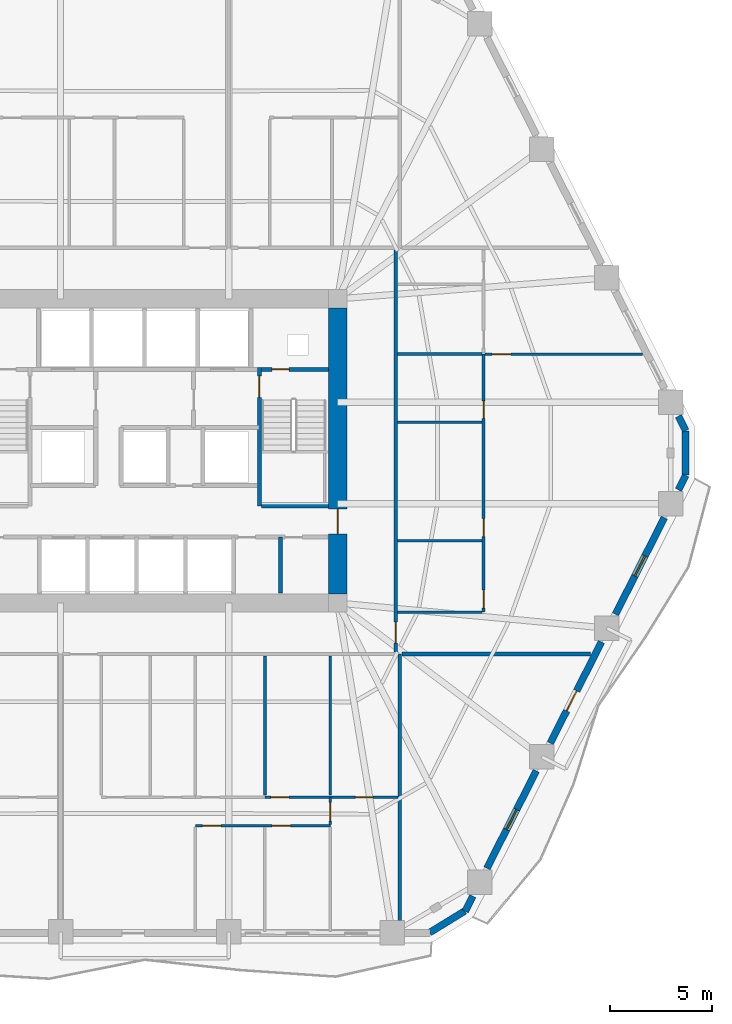
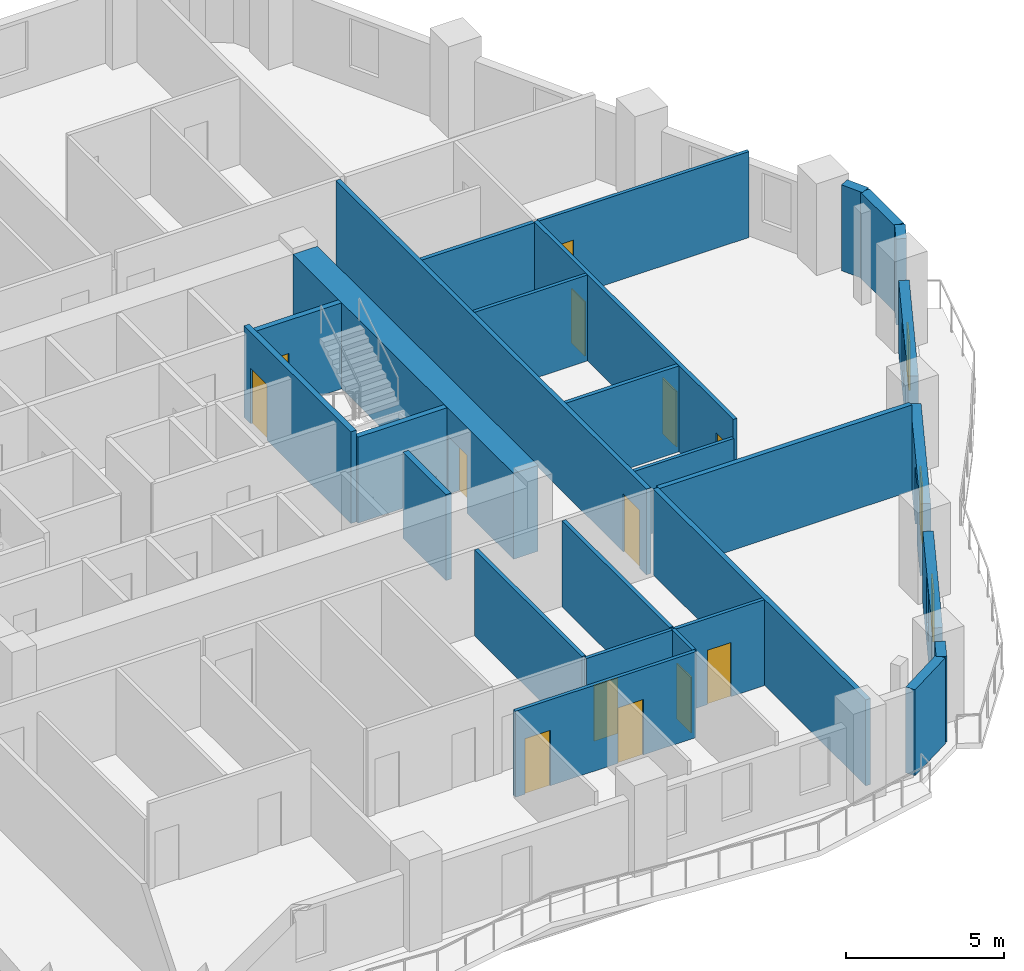
# One storey, part 6 of 12: 27 walls, 14 doors, 2 windows, 16 openings.
"""IFC4 building model written with IfcOpenShell, lengths in metres."""

from ifc_helpers import new_model, si_unit, direction, frame, frame_2d, origin, place, context, subcontext, project, spatial, rectangle, extrude, material, layer, layer_set, type_object, element, fill, save


model = new_model("IFC4")

# Units and contexts
model_context = context("Model", 3, precision=1e-05, world=origin(), true_north=direction((0.0, 1.0)))
body_context = subcontext(model_context, "Body", "Model", "MODEL_VIEW")
ifc_project = project(units=[si_unit("LENGTHUNIT", "METRE"), si_unit("AREAUNIT", "SQUARE_METRE"), si_unit("VOLUMEUNIT", "CUBIC_METRE"), si_unit("PLANEANGLEUNIT", "RADIAN"), si_unit("MASSUNIT", "GRAM", prefix="KILO")], contexts=[model_context])

# Site, building, storey
site_placement = place(None, origin())
site = spatial("IfcSite", under=ifc_project, at=site_placement, CompositionType="ELEMENT")
building_placement = place(site_placement, origin())
building = spatial("IfcBuilding", under=site, at=building_placement, Name="Cinnabar Lancet Tower", CompositionType="ELEMENT")
storey_placement = place(building_placement, frame((0.0, 0.0, 32.0)))
storey = spatial("IfcBuildingStorey", under=building, at=storey_placement, Name="L07", CompositionType="ELEMENT", Elevation=32.0)

# Wall, opening, door
ifc_material_1 = material(Name="Acoustic twin-stud gypsum partition", Category="gypsum")
ifc_layer_1 = layer(ifc_material_1, 0.159912109375)
ifc_layer_set_1 = layer_set([ifc_layer_1], Name="Acoustic twin-stud gypsum partition")
wall_type_1 = type_object("IfcWallType", Name="ARC-WL-CORR-160", PredefinedType="PARTITIONING", material=ifc_layer_set_1)
wall_1_placement = place(storey_placement, frame((44.699951171875, 16.044921875, 0.0), z_axis=(0.0, 0.0, 1.0), x_axis=(0.0, 1.0, 0.0)))
wall_1 = element("IfcWall", 1, at=wall_1_placement, inside=storey, type_object=wall_type_1, Name="UW-L07-E01-COR", PredefinedType="PARTITIONING", context=body_context, shape_type="SweptSolid", body=[
    extrude(rectangle(XDim=19.7099609375, YDim=0.159912109375, at=frame_2d((9.85498046875, 0.0))), origin(), (0.0, 0.0, 1.0), 3.330078125),
])
opening_1_placement = place(wall_1_placement, frame((0.449951171875, 0.0, 0.0)))
opening_1 = element("IfcOpeningElement", 2, at=opening_1_placement, cuts=wall_1, Name="Opening UD-01", PredefinedType="OPENING", context=body_context, shape_type="SweptSolid", body=[
    extrude(rectangle(XDim=1.02001953125, YDim=2.25, at=frame_2d((0.510009765625, 1.125))), frame((0.0, 0.08984375, 0.0), z_axis=(0.0, -1.0, 0.0), x_axis=(1.0, 0.0, 0.0)), (0.0, 0.0, 1.0), 0.179931640625),
])
ifc_material_2 = material(Name="Solid timber fire-rated apartment entrance door", Category="wood")
door_type_1 = type_object("IfcDoorType", Name="ARC-DR-UNIT", OperationType="NOTDEFINED", PredefinedType="DOOR", material=ifc_material_2)
door_1_placement = place(opening_1_placement, origin())
door_1 = element("IfcDoor", 3, at=door_1_placement, inside=storey, type_object=door_type_1, Name="DR-L07-E01-ENT", OperationType="SINGLE_SWING_LEFT", OverallHeight=2.25, OverallWidth=1.02001953125, PredefinedType="DOOR", context=body_context, shape_type="SweptSolid", body=[
    extrude(rectangle(XDim=1.02001953125, YDim=2.25, at=frame_2d((0.510009765625, 1.125))), frame((0.0, 0.02490234375, 0.0), z_axis=(0.0, -1.0, 0.0), x_axis=(1.0, 0.0, 0.0)), (0.0, 0.0, 1.0), 0.050048828125),
])
fill(opening_1, door_1)

# Walls
ifc_material_3 = material(Name="Fire-rated twin-frame acoustic drywall", Category="gypsum")
ifc_layer_2 = layer(ifc_material_3, 0.179931640625)
ifc_layer_set_2 = layer_set([ifc_layer_2], Name="Fire-rated twin-frame acoustic drywall")
wall_type_2 = type_object("IfcWallType", Name="ARC-WL-PARTY-180", PredefinedType="PARTITIONING", material=ifc_layer_set_2)
wall_2_placement = place(storey_placement, frame((44.89990234375, 2.455078125, 0.0), z_axis=(0.0, 0.0, 1.0), x_axis=(0.0, 1.0, 0.0)))
element("IfcWall", 4, at=wall_2_placement, inside=storey, type_object=wall_type_2, Name="PW-L07-SPTY-449", PredefinedType="PARTITIONING", context=body_context, shape_type="SweptSolid", body=[
    extrude(rectangle(XDim=13.494873046875, YDim=0.179931640625, at=frame_2d((6.74755859375, 0.0))), origin(), (0.0, 0.0, 1.0), 3.330078125),
])
wall_3_placement = place(storey_placement, frame((44.9951171875, 15.949951171875, 0.0), z_axis=(0.0, 0.0, 1.0), x_axis=(1.0, 0.0, 0.0)))
element("IfcWall", 5, at=wall_3_placement, inside=storey, type_object=wall_type_2, Name="PW-L07-ESB", PredefinedType="PARTITIONING", context=body_context, shape_type="SweptSolid", body=[
    extrude(rectangle(XDim=9.240966796875, YDim=0.179931640625, at=frame_2d((4.62060546875, 0.0))), origin(), (0.0, 0.0, 1.0), 3.330078125),
])
ifc_material_4 = material(Name="Autoclaved aerated concrete blockwork", Category="masonry")
ifc_layer_3 = layer(ifc_material_4, 0.199951171875)
ifc_layer_set_3 = layer_set([ifc_layer_3], Name="Autoclaved aerated concrete blockwork")
wall_type_3 = type_object("IfcWallType", Name="ARC-WL-SHAFT-200", PredefinedType="PLUMBINGWALL", material=ifc_layer_set_3)
wall_4_placement = place(storey_placement, frame((38.125, 23.199951171875, 0.0), z_axis=(0.0, 0.0, 1.0), x_axis=(1.0, 0.0, 0.0)))
element("IfcWall", 6, at=wall_4_placement, inside=storey, type_object=wall_type_3, Name="CW-ST2S-L07", PredefinedType="PLUMBINGWALL", context=body_context, shape_type="SweptSolid", body=[
    extrude(rectangle(XDim=3.27001953125, YDim=0.199951171875, at=frame_2d((1.635009765625, 0.0))), origin(), (0.0, 0.0, 1.0), 3.330078125),
])

# Wall, opening, door
wall_5_placement = place(storey_placement, frame((38.125, 29.89990234375, 0.0), z_axis=(0.0, 0.0, 1.0), x_axis=(1.0, 0.0, 0.0)))
wall_5 = element("IfcWall", 7, at=wall_5_placement, inside=storey, type_object=wall_type_3, Name="CW-NSH-E-L07", PredefinedType="PLUMBINGWALL", context=body_context, shape_type="SweptSolid", body=[
    extrude(rectangle(XDim=3.27001953125, YDim=0.199951171875, at=frame_2d((1.635009765625, 0.0))), origin(), (0.0, 0.0, 1.0), 3.330078125),
])
opening_2_placement = place(wall_5_placement, frame((0.5, 0.0, 0.0)))
opening_2 = element("IfcOpeningElement", 8, at=opening_2_placement, cuts=wall_5, Name="Opening PD-02", PredefinedType="OPENING", context=body_context, shape_type="SweptSolid", body=[
    extrude(rectangle(XDim=0.85009765625, YDim=2.050048828125, at=frame_2d((0.425048828125, 1.02490234375))), frame((0.0, 0.10986328125, 0.0), z_axis=(0.0, -1.0, 0.0), x_axis=(1.0, 0.0, 0.0)), (0.0, 0.0, 1.0), 0.219970703125),
])
ifc_material_5 = material(Name="Fire-rated steel riser access door", Category="steel")
door_type_2 = type_object("IfcDoorType", Name="ARC-DR-RISER", OperationType="NOTDEFINED", PredefinedType="DOOR", material=ifc_material_5)
door_2_placement = place(opening_2_placement, origin())
door_2 = element("IfcDoor", 9, at=door_2_placement, inside=storey, type_object=door_type_2, Name="L07 East Riser Access Door", OperationType="SINGLE_SWING_RIGHT", OverallHeight=2.050048828125, OverallWidth=0.85009765625, PredefinedType="DOOR", context=body_context, shape_type="SweptSolid", body=[
    extrude(rectangle(XDim=0.85009765625, YDim=2.050048828125, at=frame_2d((0.425048828125, 1.02490234375))), frame((0.0, 0.02490234375, 0.0), z_axis=(0.0, -1.0, 0.0), x_axis=(1.0, 0.0, 0.0)), (0.0, 0.0, 1.0), 0.050048828125),
])
fill(opening_2, door_2)

# Wall
wall_6_placement = place(storey_placement, frame((39.050048828125, 18.949951171875, 0.0), z_axis=(0.0, 0.0, 1.0), x_axis=(0.0, 1.0, 0.0)))
element("IfcWall", 10, at=wall_6_placement, inside=storey, type_object=wall_type_3, Name="CW-SB-SE-L07", PredefinedType="PLUMBINGWALL", context=body_context, shape_type="SweptSolid", body=[
    extrude(rectangle(XDim=2.72998046875, YDim=0.199951171875, at=frame_2d((1.364990234375, 0.0))), origin(), (0.0, 0.0, 1.0), 3.330078125),
])

# Wall, openings, doors
ifc_material_6 = material(Name="Gypsum plasterboard stud partition", Category="gypsum")
ifc_layer_4 = layer(ifc_material_6, 0.125)
ifc_layer_set_4 = layer_set([ifc_layer_4], Name="Gypsum plasterboard stud partition")
wall_type_4 = type_object("IfcWallType", Name="ARC-WL-UNIT-125", PredefinedType="PARTITIONING", material=ifc_layer_set_4)
wall_7_placement = place(storey_placement, frame((38.284912109375, 8.93310546875, 0.0), z_axis=(0.0, 0.0, 1.0), x_axis=(1.0, 0.0, 0.0)))
wall_7 = element("IfcWall", 11, at=wall_7_placement, inside=storey, type_object=wall_type_4, Name="UW-L07-S02-SP2", PredefinedType="PARTITIONING", context=body_context, shape_type="SweptSolid", body=[
    extrude(rectangle(XDim=6.52001953125, YDim=0.125, at=frame_2d((3.260009765625, 0.0))), origin(), (0.0, 0.0, 1.0), 3.330078125),
])
opening_3_placement = place(wall_7_placement, frame((4.43896484375, 0.0, 0.0)))
opening_3 = element("IfcOpeningElement", 12, at=opening_3_placement, cuts=wall_7, Name="Opening BD-01", PredefinedType="OPENING", context=body_context, shape_type="SweptSolid", body=[
    extrude(rectangle(XDim=0.860107421875, YDim=2.10009765625, at=frame_2d((0.43017578125, 1.050048828125))), frame((0.0, 0.072509765625, 0.0), z_axis=(0.0, -1.0, 0.0), x_axis=(1.0, 0.0, 0.0)), (0.0, 0.0, 1.0), 0.14501953125),
])
opening_4_placement = place(wall_7_placement, frame((0.300048828125, 0.0, 0.0)))
opening_4 = element("IfcOpeningElement", 13, at=opening_4_placement, cuts=wall_7, Name="Opening RD-02", PredefinedType="OPENING", context=body_context, shape_type="SweptSolid", body=[
    extrude(rectangle(XDim=0.8798828125, YDim=2.14990234375, at=frame_2d((0.43994140625, 1.074951171875))), frame((0.0, 0.072509765625, 0.0), z_axis=(0.0, -1.0, 0.0), x_axis=(1.0, 0.0, 0.0)), (0.0, 0.0, 1.0), 0.14501953125),
])
ifc_material_7 = material(Name="Moisture-resistant timber bathroom door", Category="wood")
door_type_3 = type_object("IfcDoorType", Name="ARC-DR-BATH", OperationType="NOTDEFINED", PredefinedType="DOOR", material=ifc_material_7)
door_3_placement = place(opening_3_placement, origin())
door_3 = element("IfcDoor", 14, at=door_3_placement, inside=storey, type_object=door_type_3, Name="DR-L07-S02-ENS", OperationType="SINGLE_SWING_RIGHT", OverallHeight=2.10009765625, OverallWidth=0.860107421875, PredefinedType="DOOR", context=body_context, shape_type="SweptSolid", body=[
    extrude(rectangle(XDim=0.860107421875, YDim=2.10009765625, at=frame_2d((0.43017578125, 1.050048828125))), frame((0.0, 0.02490234375, 0.0), z_axis=(0.0, -1.0, 0.0), x_axis=(1.0, 0.0, 0.0)), (0.0, 0.0, 1.0), 0.050048828125),
])
fill(opening_3, door_3)
ifc_material_8 = material(Name="Engineered timber study door", Category="wood")
door_type_4 = type_object("IfcDoorType", Name="ARC-DR-STUDY", OperationType="NOTDEFINED", PredefinedType="DOOR", material=ifc_material_8)
door_4_placement = place(opening_4_placement, origin())
door_4 = element("IfcDoor", 15, at=door_4_placement, inside=storey, type_object=door_type_4, Name="DR-L07-S02-DRS", OperationType="SINGLE_SWING_LEFT", OverallHeight=2.14990234375, OverallWidth=0.8798828125, PredefinedType="DOOR", context=body_context, shape_type="SweptSolid", body=[
    extrude(rectangle(XDim=0.8798828125, YDim=2.14990234375, at=frame_2d((0.43994140625, 1.074951171875))), frame((0.0, 0.02490234375, 0.0), z_axis=(0.0, -1.0, 0.0), x_axis=(1.0, 0.0, 0.0)), (0.0, 0.0, 1.0), 0.050048828125),
])
fill(opening_4, door_4)

wall_8_placement = place(storey_placement, frame((34.8779296875, 7.532958984375, 0.0), z_axis=(0.0, 0.0, 1.0), x_axis=(1.0, 0.0, 0.0)))
wall_8 = element("IfcWall", 16, at=wall_8_placement, inside=storey, type_object=wall_type_4, Name="UW-L07-S02-HLN", PredefinedType="PARTITIONING", context=body_context, shape_type="SweptSolid", body=[
    extrude(rectangle(XDim=6.614990234375, YDim=0.125, at=frame_2d((3.3076171875, 0.0))), origin(), (0.0, 0.0, 1.0), 3.330078125),
])
opening_5_placement = place(wall_8_placement, frame((0.35009765625, 0.0, 0.0)))
opening_5 = element("IfcOpeningElement", 17, at=opening_5_placement, cuts=wall_8, Name="Opening RD-01", PredefinedType="OPENING", context=body_context, shape_type="SweptSolid", body=[
    extrude(rectangle(XDim=0.919921875, YDim=2.14990234375, at=frame_2d((0.4599609375, 1.074951171875))), frame((0.0, 0.072509765625, 0.0), z_axis=(0.0, -1.0, 0.0), x_axis=(1.0, 0.0, 0.0)), (0.0, 0.0, 1.0), 0.14501953125),
])
opening_6_placement = place(wall_8_placement, frame((3.757080078125, 0.0, 0.0)))
opening_6 = element("IfcOpeningElement", 18, at=opening_6_placement, cuts=wall_8, Name="Opening RD-01", PredefinedType="OPENING", context=body_context, shape_type="SweptSolid", body=[
    extrude(rectangle(XDim=0.919921875, YDim=2.14990234375, at=frame_2d((0.4599609375, 1.074951171875))), frame((0.0, 0.072509765625, 0.0), z_axis=(0.0, -1.0, 0.0), x_axis=(1.0, 0.0, 0.0)), (0.0, 0.0, 1.0), 0.14501953125),
])
ifc_material_9 = material(Name="Engineered timber bedroom door", Category="wood")
door_type_5 = type_object("IfcDoorType", Name="ARC-DR-ROOM", OperationType="NOTDEFINED", PredefinedType="DOOR", material=ifc_material_9)
door_5_placement = place(opening_5_placement, origin())
door_5 = element("IfcDoor", 19, at=door_5_placement, inside=storey, type_object=door_type_5, Name="DR-L07-S02-BD2", OperationType="SINGLE_SWING_RIGHT", OverallHeight=2.14990234375, OverallWidth=0.919921875, PredefinedType="DOOR", context=body_context, shape_type="SweptSolid", body=[
    extrude(rectangle(XDim=0.919921875, YDim=2.14990234375, at=frame_2d((0.4599609375, 1.074951171875))), frame((0.0, 0.02490234375, 0.0), z_axis=(0.0, -1.0, 0.0), x_axis=(1.0, 0.0, 0.0)), (0.0, 0.0, 1.0), 0.050048828125),
])
fill(opening_5, door_5)
door_6_placement = place(opening_6_placement, origin())
door_6 = element("IfcDoor", 20, at=door_6_placement, inside=storey, type_object=door_type_5, Name="DR-L07-S02-BD3", OperationType="SINGLE_SWING_LEFT", OverallHeight=2.14990234375, OverallWidth=0.919921875, PredefinedType="DOOR", context=body_context, shape_type="SweptSolid", body=[
    extrude(rectangle(XDim=0.919921875, YDim=2.14990234375, at=frame_2d((0.4599609375, 1.074951171875))), frame((0.0, 0.02490234375, 0.0), z_axis=(0.0, -1.0, 0.0), x_axis=(1.0, 0.0, 0.0)), (0.0, 0.0, 1.0), 0.050048828125),
])
fill(opening_6, door_6)

# Wall, opening, door
wall_9_placement = place(storey_placement, frame((41.492919921875, 7.60302734375, 0.0), z_axis=(0.0, 0.0, 1.0), x_axis=(0.0, 1.0, 0.0)))
wall_9 = element("IfcWall", 21, at=wall_9_placement, inside=storey, type_object=wall_type_4, Name="UW-L07-S02-MBE", PredefinedType="PARTITIONING", context=body_context, shape_type="SweptSolid", body=[
    extrude(rectangle(XDim=1.330078125, YDim=0.125, at=frame_2d((0.6650390625, 0.0))), origin(), (0.0, 0.0, 1.0), 3.330078125),
])
opening_7_placement = place(wall_9_placement, frame((0.159912109375, 0.0, 0.0)))
opening_7 = element("IfcOpeningElement", 22, at=opening_7_placement, cuts=wall_9, Name="Opening RD-01", PredefinedType="OPENING", context=body_context, shape_type="SweptSolid", body=[
    extrude(rectangle(XDim=0.919921875, YDim=2.14990234375, at=frame_2d((0.4599609375, 1.074951171875))), frame((0.0, 0.072509765625, 0.0), z_axis=(0.0, -1.0, 0.0), x_axis=(1.0, 0.0, 0.0)), (0.0, 0.0, 1.0), 0.14501953125),
])
door_7_placement = place(opening_7_placement, origin())
door_7 = element("IfcDoor", 23, at=door_7_placement, inside=storey, type_object=door_type_5, Name="DR-L07-S02-MBD", OperationType="SINGLE_SWING_RIGHT", OverallHeight=2.14990234375, OverallWidth=0.919921875, PredefinedType="DOOR", context=body_context, shape_type="SweptSolid", body=[
    extrude(rectangle(XDim=0.919921875, YDim=2.14990234375, at=frame_2d((0.4599609375, 1.074951171875))), frame((0.0, 0.02490234375, 0.0), z_axis=(0.0, -1.0, 0.0), x_axis=(1.0, 0.0, 0.0)), (0.0, 0.0, 1.0), 0.050048828125),
])
fill(opening_7, door_7)

# Wall
wall_10_placement = place(storey_placement, frame((44.784912109375, 18.0, 0.0), z_axis=(0.0, 0.0, 1.0), x_axis=(1.0, 0.0, 0.0)))
element("IfcWall", 24, at=wall_10_placement, inside=storey, type_object=wall_type_4, Name="UW-L07-E01-FOYN", PredefinedType="PARTITIONING", context=body_context, shape_type="SweptSolid", body=[
    extrude(rectangle(XDim=4.130126953125, YDim=0.125, at=frame_2d((2.06494140625, 0.0))), origin(), (0.0, 0.0, 1.0), 2.635986328125),
])

# Wall, opening, door
wall_11_placement = place(storey_placement, frame((49.074951171875, 30.64892578125, 0.0), z_axis=(0.0, 0.0, 1.0), x_axis=(1.0, 0.0, 0.0)))
wall_11 = element("IfcWall", 25, at=wall_11_placement, inside=storey, type_object=wall_type_4, Name="UW-L07-E01-MBN", PredefinedType="PARTITIONING", context=body_context, shape_type="SweptSolid", body=[
    extrude(rectangle(XDim=7.70703125, YDim=0.125, at=frame_2d((3.853515625, 0.0))), origin(), (0.0, 0.0, 1.0), 3.330078125),
])
opening_8_placement = place(wall_11_placement, frame((0.35009765625, 0.0, 0.0)))
opening_8 = element("IfcOpeningElement", 26, at=opening_8_placement, cuts=wall_11, Name="Opening RD-01", PredefinedType="OPENING", context=body_context, shape_type="SweptSolid", body=[
    extrude(rectangle(XDim=0.919921875, YDim=2.14990234375, at=frame_2d((0.4599609375, 1.074951171875))), frame((0.0, 0.072509765625, 0.0), z_axis=(0.0, -1.0, 0.0), x_axis=(1.0, 0.0, 0.0)), (0.0, 0.0, 1.0), 0.14501953125),
])
door_8_placement = place(opening_8_placement, origin())
door_8 = element("IfcDoor", 27, at=door_8_placement, inside=storey, type_object=door_type_5, Name="DR-L07-E01-MBD", OperationType="SINGLE_SWING_LEFT", OverallHeight=2.14990234375, OverallWidth=0.919921875, PredefinedType="DOOR", context=body_context, shape_type="SweptSolid", body=[
    extrude(rectangle(XDim=0.919921875, YDim=2.14990234375, at=frame_2d((0.4599609375, 1.074951171875))), frame((0.0, 0.02490234375, 0.0), z_axis=(0.0, -1.0, 0.0), x_axis=(1.0, 0.0, 0.0)), (0.0, 0.0, 1.0), 0.050048828125),
])
fill(opening_8, door_8)

# Walls
wall_12_placement = place(storey_placement, frame((44.784912109375, 27.299072265625, 0.0), z_axis=(0.0, 0.0, 1.0), x_axis=(1.0, 0.0, 0.0)))
element("IfcWall", 28, at=wall_12_placement, inside=storey, type_object=wall_type_4, Name="UW-L07-E01-UDV", PredefinedType="PARTITIONING", context=body_context, shape_type="SweptSolid", body=[
    extrude(rectangle(XDim=4.130126953125, YDim=0.125, at=frame_2d((2.06494140625, 0.0))), origin(), (0.0, 0.0, 1.0), 3.330078125),
])
ifc_material_10 = material(Name="Moisture-resistant cement-board plumbing wall", Category="masonry")
ifc_layer_5 = layer(ifc_material_10, 0.139892578125)
ifc_layer_set_5 = layer_set([ifc_layer_5], Name="Moisture-resistant cement-board plumbing wall")
wall_type_5 = type_object("IfcWallType", Name="ARC-WL-WET-140", PredefinedType="PLUMBINGWALL", material=ifc_layer_set_5)
for number, where, z_axis, x_axis, name in (
    (29, (38.284912109375, 9.0380859375, 0.0), (0.0, 0.0, 1.0), (0.0, 1.0, 0.0), "UW-L07-S02-ENSE"),
    (30, (41.492919921875, 9.0380859375, 0.0), (0.0, 0.0, 1.0), (0.0, 1.0, 0.0), "UW-L07-S02-UT3"),
):
    element("IfcWall", number, at=place(storey_placement, frame(where, z_axis=z_axis, x_axis=x_axis)), inside=storey, type_object=wall_type_5, Name=name, PredefinedType="PLUMBINGWALL", context=body_context, shape_type="SweptSolid", body=[
        extrude(rectangle(XDim=6.826904296875, YDim=0.139892578125, at=frame_2d((3.41357421875, 0.0))), origin(), (0.0, 0.0, 1.0), 3.330078125),
    ])

# Wall, openings, doors
wall_13_placement = place(storey_placement, frame((49.0, 18.0, 0.0), z_axis=(0.0, 0.0, 1.0), x_axis=(0.0, 1.0, 0.0)))
wall_13 = element("IfcWall", 31, at=wall_13_placement, inside=storey, type_object=wall_type_5, Name="UW-L07-E01-SPL", PredefinedType="PLUMBINGWALL", context=body_context, shape_type="SweptSolid", body=[
    extrude(rectangle(XDim=12.64892578125, YDim=0.139892578125, at=frame_2d((6.324462890625, 0.0))), origin(), (0.0, 0.0, 1.0), 3.330078125),
])
opening_9_placement = place(wall_13_placement, frame((0.199951171875, 0.0, 0.0)))
opening_9 = element("IfcOpeningElement", 32, at=opening_9_placement, cuts=wall_13, Name="Opening RD-02", PredefinedType="OPENING", context=body_context, shape_type="SweptSolid", body=[
    extrude(rectangle(XDim=0.8798828125, YDim=2.14990234375, at=frame_2d((0.43994140625, 1.074951171875))), frame((0.0, 0.079833984375, 0.0), z_axis=(0.0, -1.0, 0.0), x_axis=(1.0, 0.0, 0.0)), (0.0, 0.0, 1.0), 0.159912109375),
])
opening_10_placement = place(wall_13_placement, frame((3.699951171875, 0.0, 0.0)))
opening_10 = element("IfcOpeningElement", 33, at=opening_10_placement, cuts=wall_13, Name="Opening RD-02", PredefinedType="OPENING", context=body_context, shape_type="SweptSolid", body=[
    extrude(rectangle(XDim=0.8798828125, YDim=2.14990234375, at=frame_2d((0.43994140625, 1.074951171875))), frame((0.0, 0.079833984375, 0.0), z_axis=(0.0, -1.0, 0.0), x_axis=(1.0, 0.0, 0.0)), (0.0, 0.0, 1.0), 0.159912109375),
])
opening_11_placement = place(wall_13_placement, frame((9.4990234375, 0.0, 0.0)))
opening_11 = element("IfcOpeningElement", 34, at=opening_11_placement, cuts=wall_13, Name="Opening BD-01", PredefinedType="OPENING", context=body_context, shape_type="SweptSolid", body=[
    extrude(rectangle(XDim=0.860107421875, YDim=2.10009765625, at=frame_2d((0.43017578125, 1.050048828125))), frame((0.0, 0.079833984375, 0.0), z_axis=(0.0, -1.0, 0.0), x_axis=(1.0, 0.0, 0.0)), (0.0, 0.0, 1.0), 0.159912109375),
])
door_9_placement = place(opening_11_placement, origin())
door_9 = element("IfcDoor", 35, at=door_9_placement, inside=storey, type_object=door_type_3, Name="DR-L07-E01-BTH", OperationType="SINGLE_SWING_RIGHT", OverallHeight=2.10009765625, OverallWidth=0.860107421875, PredefinedType="DOOR", context=body_context, shape_type="SweptSolid", body=[
    extrude(rectangle(XDim=0.860107421875, YDim=2.10009765625, at=frame_2d((0.43017578125, 1.050048828125))), frame((0.0, 0.02490234375, 0.0), z_axis=(0.0, -1.0, 0.0), x_axis=(1.0, 0.0, 0.0)), (0.0, 0.0, 1.0), 0.050048828125),
])
fill(opening_11, door_9)
door_10_placement = place(opening_9_placement, origin())
door_10 = element("IfcDoor", 36, at=door_10_placement, inside=storey, type_object=door_type_4, Name="DR-L07-E01-KIT", OperationType="SINGLE_SWING_RIGHT", OverallHeight=2.14990234375, OverallWidth=0.8798828125, PredefinedType="DOOR", context=body_context, shape_type="SweptSolid", body=[
    extrude(rectangle(XDim=0.8798828125, YDim=2.14990234375, at=frame_2d((0.43994140625, 1.074951171875))), frame((0.0, 0.02490234375, 0.0), z_axis=(0.0, -1.0, 0.0), x_axis=(1.0, 0.0, 0.0)), (0.0, 0.0, 1.0), 0.050048828125),
])
fill(opening_9, door_10)
door_11_placement = place(opening_10_placement, origin())
door_11 = element("IfcDoor", 37, at=door_11_placement, inside=storey, type_object=door_type_4, Name="DR-L07-E01-UTL", OperationType="SINGLE_SWING_LEFT", OverallHeight=2.14990234375, OverallWidth=0.8798828125, PredefinedType="DOOR", context=body_context, shape_type="SweptSolid", body=[
    extrude(rectangle(XDim=0.8798828125, YDim=2.14990234375, at=frame_2d((0.43994140625, 1.074951171875))), frame((0.0, 0.02490234375, 0.0), z_axis=(0.0, -1.0, 0.0), x_axis=(1.0, 0.0, 0.0)), (0.0, 0.0, 1.0), 0.050048828125),
])
fill(opening_10, door_11)

# Walls
for number, where, z_axis, x_axis, name in (
    (38, (44.784912109375, 30.64892578125, 0.0), (0.0, 0.0, 1.0), (1.0, 0.0, 0.0), "UW-L07-E01-ENSN"),
    (39, (44.784912109375, 21.5, 0.0), (0.0, 0.0, 1.0), (1.0, 0.0, 0.0), "UW-L07-E01-KDV"),
):
    element("IfcWall", number, at=place(storey_placement, frame(where, z_axis=z_axis, x_axis=x_axis)), inside=storey, type_object=wall_type_5, Name=name, PredefinedType="PLUMBINGWALL", context=body_context, shape_type="SweptSolid", body=[
        extrude(rectangle(XDim=4.130126953125, YDim=0.139892578125, at=frame_2d((2.06494140625, 0.0))), origin(), (0.0, 0.0, 1.0), 3.330078125),
    ])
ifc_material_11 = material(Name="Cinnabar red clay brick", Category="masonry")
ifc_layer_6 = layer(ifc_material_11, 0.340087890625)
ifc_layer_set_6 = layer_set([ifc_layer_6], Name="Cinnabar red clay brick")
wall_type_6 = type_object("IfcWallType", Name="ENV-WL-BRK-RED-340", PredefinedType="STANDARD", material=ifc_layer_set_6)
wall_14_placement = place(storey_placement, frame((46.361083984375, 2.304931640625, 0.0), z_axis=(0.0, 0.0, 1.0), x_axis=(0.851816122478, 0.523840904748, 0.0)))
element("IfcWall", 40, at=wall_14_placement, inside=storey, type_object=wall_type_6, Name="L07 Chamfered Corner Brick Pier 2.1", PredefinedType="STANDARD", context=body_context, shape_type="SweptSolid", body=[
    extrude(rectangle(XDim=2.01806640625, YDim=0.340087890625, at=frame_2d((1.009033203125, 0.0))), origin(), (0.0, 0.0, 1.0), 3.330078125),
])
wall_15_placement = place(storey_placement, frame((58.887939453125, 24.714111328125, 0.0), z_axis=(0.0, 0.0, 1.0), x_axis=(0.0, 1.0, 0.0)))
element("IfcWall", 41, at=wall_15_placement, inside=storey, type_object=wall_type_6, Name="L07 Chamfered Corner Brick Pier 3.1", PredefinedType="STANDARD", context=body_context, shape_type="SweptSolid", body=[
    extrude(rectangle(XDim=2.171875, YDim=0.340087890625, at=frame_2d((1.0859375, 0.0))), origin(), (0.0, 0.0, 1.0), 3.330078125),
])
wall_16_placement = place(storey_placement, frame((48.10009765625, 3.345947265625, 0.0), z_axis=(0.0, 0.0, 1.0), x_axis=(0.45187807258, 0.892079709175, 0.0)))
element("IfcWall", 42, at=wall_16_placement, inside=storey, type_object=wall_type_6, Name="L07 Face 2 Masonry Bay Wall 1", PredefinedType="STANDARD", context=body_context, shape_type="SweptSolid", body=[
    extrude(rectangle(XDim=0.83642578125, YDim=0.340087890625, at=frame_2d((0.418212890625, 0.0))), origin(), (0.0, 0.0, 1.0), 3.330078125),
])

# Wall, opening, window
wall_17_placement = place(storey_placement, frame((49.166015625, 5.4541015625, 0.0), z_axis=(0.0, 0.0, 1.0), x_axis=(0.451697561555, 0.892171123095, 0.0)))
wall_17 = element("IfcWall", 43, at=wall_17_placement, inside=storey, type_object=wall_type_6, Name="L07 Face 2 Masonry Bay Wall 2", PredefinedType="STANDARD", context=body_context, shape_type="SweptSolid", body=[
    extrude(rectangle(XDim=5.350830078125, YDim=0.340087890625, at=frame_2d((2.67529296875, 0.0))), origin(), (0.0, 0.0, 1.0), 2.787109375),
])
opening_12_placement = place(wall_17_placement, frame((2.125, 0.0, 0.75)))
opening_12 = element("IfcOpeningElement", 44, at=opening_12_placement, cuts=wall_17, Name="Opening WN-04", PredefinedType="OPENING", context=body_context, shape_type="SweptSolid", body=[
    extrude(rectangle(XDim=1.10009765625, YDim=1.886962890625, at=frame_2d((0.550048828125, 0.943359375))), frame((0.0, 0.179931640625, 0.0), z_axis=(0.0, -1.0, 0.0), x_axis=(1.0, 0.0, 0.0)), (0.0, 0.0, 1.0), 0.360107421875),
])
ifc_material_12 = material(Name="Thermally broken bronze-anodized aluminium tall lancet window", Category="aluminium")
window_type = type_object("IfcWindowType", Name="ENV-WN-LANCET-1100", PartitioningType="SINGLE_PANEL", PredefinedType="WINDOW", material=ifc_material_12)
window_1_placement = place(opening_12_placement, origin())
window_1 = element("IfcWindow", 45, at=window_1_placement, inside=storey, type_object=window_type, Name="L07 Face 2 Gothic Lancet Window 2", OverallHeight=1.886962890625, OverallWidth=1.10009765625, PartitioningType="SINGLE_PANEL", PredefinedType="WINDOW", context=body_context, shape_type="SweptSolid", body=[
    extrude(rectangle(XDim=1.10009765625, YDim=1.886962890625, at=frame_2d((0.550048828125, 0.943359375))), frame((0.0, 0.030029296875, 0.0), z_axis=(0.0, -1.0, 0.0), x_axis=(1.0, 0.0, 0.0)), (0.0, 0.0, 1.0), 0.06005859375),
])
fill(opening_12, window_1)

# Wall, opening, door
wall_18_placement = place(storey_placement, frame((52.27099609375, 11.590087890625, 0.0), z_axis=(0.0, 0.0, 1.0), x_axis=(0.451592100298, 0.892224509273, 0.0)))
wall_18 = element("IfcWall", 46, at=wall_18_placement, inside=storey, type_object=wall_type_6, Name="L07 Face 2 Masonry Bay Wall 3", PredefinedType="STANDARD", context=body_context, shape_type="SweptSolid", body=[
    extrude(rectangle(XDim=5.546875, YDim=0.340087890625, at=frame_2d((2.7734375, 0.0))), origin(), (0.0, 0.0, 1.0), 2.787109375),
])
opening_13_placement = place(wall_18_placement, frame((1.76806640625, 0.0, 0.0)))
opening_13 = element("IfcOpeningElement", 47, at=opening_13_placement, cuts=wall_18, Name="Opening TD-01", PredefinedType="OPENING", context=body_context, shape_type="SweptSolid", body=[
    extrude(rectangle(XDim=1.10009765625, YDim=2.25, at=frame_2d((0.550048828125, 1.125))), frame((0.0, 0.179931640625, 0.0), z_axis=(0.0, -1.0, 0.0), x_axis=(1.0, 0.0, 0.0)), (0.0, 0.0, 1.0), 0.360107421875),
])
ifc_material_13 = material(Name="Thermally broken low-E glazed balcony terrace door", Category="wood")
door_type_6 = type_object("IfcDoorType", Name="ARC-DR-BALC", OperationType="NOTDEFINED", PredefinedType="DOOR", material=ifc_material_13)
door_12_placement = place(opening_13_placement, origin())
door_12 = element("IfcDoor", 48, at=door_12_placement, inside=storey, type_object=door_type_6, Name="L07 Face 2 Glazed Terrace Door", OperationType="SINGLE_SWING_LEFT", OverallHeight=2.25, OverallWidth=1.10009765625, PredefinedType="DOOR", context=body_context, shape_type="SweptSolid", body=[
    extrude(rectangle(XDim=1.10009765625, YDim=2.25, at=frame_2d((0.550048828125, 1.125))), frame((0.0, 0.02490234375, 0.0), z_axis=(0.0, -1.0, 0.0), x_axis=(1.0, 0.0, 0.0)), (0.0, 0.0, 1.0), 0.050048828125),
])
fill(opening_13, door_12)

# Wall, opening, window
wall_19_placement = place(storey_placement, frame((55.465087890625, 17.90087890625, 0.0), z_axis=(0.0, 0.0, 1.0), x_axis=(0.451572088722, 0.892234637686, 0.0)))
wall_19 = element("IfcWall", 49, at=wall_19_placement, inside=storey, type_object=wall_type_6, Name="L07 Face 2 Masonry Bay Wall 4", PredefinedType="STANDARD", context=body_context, shape_type="SweptSolid", body=[
    extrude(rectangle(XDim=5.3037109375, YDim=0.340087890625, at=frame_2d((2.65185546875, 0.0))), origin(), (0.0, 0.0, 1.0), 2.787109375),
])
opening_14_placement = place(wall_19_placement, frame((2.10205078125, 0.0, 0.75)))
opening_14 = element("IfcOpeningElement", 50, at=opening_14_placement, cuts=wall_19, Name="Opening WN-04", PredefinedType="OPENING", context=body_context, shape_type="SweptSolid", body=[
    extrude(rectangle(XDim=1.10009765625, YDim=1.886962890625, at=frame_2d((0.550048828125, 0.943359375))), frame((0.0, 0.179931640625, 0.0), z_axis=(0.0, -1.0, 0.0), x_axis=(1.0, 0.0, 0.0)), (0.0, 0.0, 1.0), 0.360107421875),
])
window_2_placement = place(opening_14_placement, origin())
window_2 = element("IfcWindow", 51, at=window_2_placement, inside=storey, type_object=window_type, Name="L07 Face 2 Gothic Lancet Window 4", OverallHeight=1.886962890625, OverallWidth=1.10009765625, PartitioningType="SINGLE_PANEL", PredefinedType="WINDOW", context=body_context, shape_type="SweptSolid", body=[
    extrude(rectangle(XDim=1.10009765625, YDim=1.886962890625, at=frame_2d((0.550048828125, 0.943359375))), frame((0.0, 0.030029296875, 0.0), z_axis=(0.0, -1.0, 0.0), x_axis=(1.0, 0.0, 0.0)), (0.0, 0.0, 1.0), 0.06005859375),
])
fill(opening_14, window_2)

# Walls
for number, where, z_axis, x_axis, name in (
    (52, (58.548095703125, 23.9951171875, 0.0), (0.0, 0.0, 1.0), (0.452101093511, 0.891966704113, 0.0), "L07 Face 2 Masonry Bay Wall 5"),
    (53, (58.908935546875, 26.89306640625, 0.0), (0.0, 0.0, 1.0), (-0.452101093511, 0.891966704113, 0.0), "L07 Face 3 Masonry Bay Wall 1"),
):
    element("IfcWall", number, at=place(storey_placement, frame(where, z_axis=z_axis, x_axis=x_axis)), inside=storey, type_object=wall_type_6, Name=name, PredefinedType="STANDARD", context=body_context, shape_type="SweptSolid", body=[
        extrude(rectangle(XDim=0.798095703125, YDim=0.340087890625, at=frame_2d((0.39892578125, 0.0))), origin(), (0.0, 0.0, 1.0), 3.330078125),
    ])

# Wall, opening, door
ifc_material_14 = material(Name="Concrete C80/95", Category="concrete")
ifc_layer_7 = layer(ifc_material_14, 0.89990234375)
ifc_layer_set_7 = layer_set([ifc_layer_7], Name="Concrete C80/95")
wall_type_7 = type_object("IfcWallType", Name="STR-WL-CORE-900", PredefinedType="SHEAR", material=ifc_layer_set_7)
wall_20_placement = place(storey_placement, frame((41.85009765625, 18.89990234375, 0.0), z_axis=(0.0, 0.0, 1.0), x_axis=(0.0, 1.0, 0.0)))
wall_20 = element("IfcWall", 54, at=wall_20_placement, inside=storey, type_object=wall_type_7, Name="L07 Core Shear Wall E", PredefinedType="SHEAR", context=body_context, shape_type="SweptSolid", body=[
    extrude(rectangle(XDim=14.0, YDim=0.89990234375, at=frame_2d((7.0, 0.0))), origin(), (0.0, 0.0, 1.0), 3.330078125),
])
opening_15_placement = place(wall_20_placement, frame((2.93994140625, 0.0, 0.0)))
opening_15 = element("IfcOpeningElement", 55, at=opening_15_placement, cuts=wall_20, Name="Opening FD-02", PredefinedType="OPENING", context=body_context, shape_type="SweptSolid", body=[
    extrude(rectangle(XDim=1.219970703125, YDim=2.25, at=frame_2d((0.60986328125, 1.125))), frame((0.0, 0.4599609375, 0.0), z_axis=(0.0, -1.0, 0.0), x_axis=(1.0, 0.0, 0.0)), (0.0, 0.0, 1.0), 0.919921875),
])
ifc_material_15 = material(Name="Fire-rated double-vision core portal door", Category="wood")
door_type_7 = type_object("IfcDoorType", Name="ARC-DR-CPORT", OperationType="NOTDEFINED", PredefinedType="DOOR", material=ifc_material_15)
door_13_placement = place(opening_15_placement, origin())
door_13 = element("IfcDoor", 56, at=door_13_placement, inside=storey, type_object=door_type_7, Name="L07 East Core Lobby Fire Door", OperationType="SINGLE_SWING_LEFT", OverallHeight=2.25, OverallWidth=1.219970703125, PredefinedType="DOOR", context=body_context, shape_type="SweptSolid", body=[
    extrude(rectangle(XDim=1.219970703125, YDim=2.25, at=frame_2d((0.60986328125, 1.125))), frame((0.0, 0.02490234375, 0.0), z_axis=(0.0, -1.0, 0.0), x_axis=(1.0, 0.0, 0.0)), (0.0, 0.0, 1.0), 0.050048828125),
])
fill(opening_15, door_13)

ifc_material_16 = material(Name="Concrete C50/60", Category="concrete")
ifc_layer_8 = layer(ifc_material_16, 0.199951171875)
ifc_layer_set_8 = layer_set([ifc_layer_8], Name="Concrete C50/60")
wall_type_8 = type_object("IfcWallType", Name="STR-WL-STAIR-200", PredefinedType="SHEAR", material=ifc_layer_set_8)
wall_21_placement = place(storey_placement, frame((38.02001953125, 23.199951171875, 0.0), z_axis=(0.0, 0.0, 1.0), x_axis=(0.0, 1.0, 0.0)))
wall_21 = element("IfcWall", 57, at=wall_21_placement, inside=storey, type_object=wall_type_8, Name="L07 Stair ST-2 Structural Enclosure Wall", PredefinedType="SHEAR", context=body_context, shape_type="SweptSolid", body=[
    extrude(rectangle(XDim=6.780029296875, YDim=0.199951171875, at=frame_2d((3.39013671875, 0.0))), origin(), (0.0, 0.0, 1.0), 3.550048828125),
])
opening_16_placement = place(wall_21_placement, frame((5.320068359375, 0.0, 0.0)))
opening_16 = element("IfcOpeningElement", 58, at=opening_16_placement, cuts=wall_21, Name="Opening SD-01", PredefinedType="OPENING", context=body_context, shape_type="SweptSolid", body=[
    extrude(rectangle(XDim=1.050048828125, YDim=2.14990234375, at=frame_2d((0.52490234375, 1.074951171875))), frame((0.0, 0.10986328125, 0.0), z_axis=(0.0, -1.0, 0.0), x_axis=(1.0, 0.0, 0.0)), (0.0, 0.0, 1.0), 0.219970703125),
])
ifc_material_17 = material(Name="Fire-rated steel stair exit door", Category="steel")
door_type_8 = type_object("IfcDoorType", Name="ARC-DR-STAIR", OperationType="NOTDEFINED", PredefinedType="DOOR", material=ifc_material_17)
door_14_placement = place(opening_16_placement, origin())
door_14 = element("IfcDoor", 59, at=door_14_placement, inside=storey, type_object=door_type_8, Name="L07 Stair ST-2 Fire Door", OperationType="SINGLE_SWING_RIGHT", OverallHeight=2.14990234375, OverallWidth=1.050048828125, PredefinedType="DOOR", context=body_context, shape_type="SweptSolid", body=[
    extrude(rectangle(XDim=1.050048828125, YDim=2.14990234375, at=frame_2d((0.52490234375, 1.074951171875))), frame((0.0, 0.02490234375, 0.0), z_axis=(0.0, -1.0, 0.0), x_axis=(1.0, 0.0, 0.0)), (0.0, 0.0, 1.0), 0.050048828125),
])
fill(opening_16, door_14)

save(model, "model.ifc")
